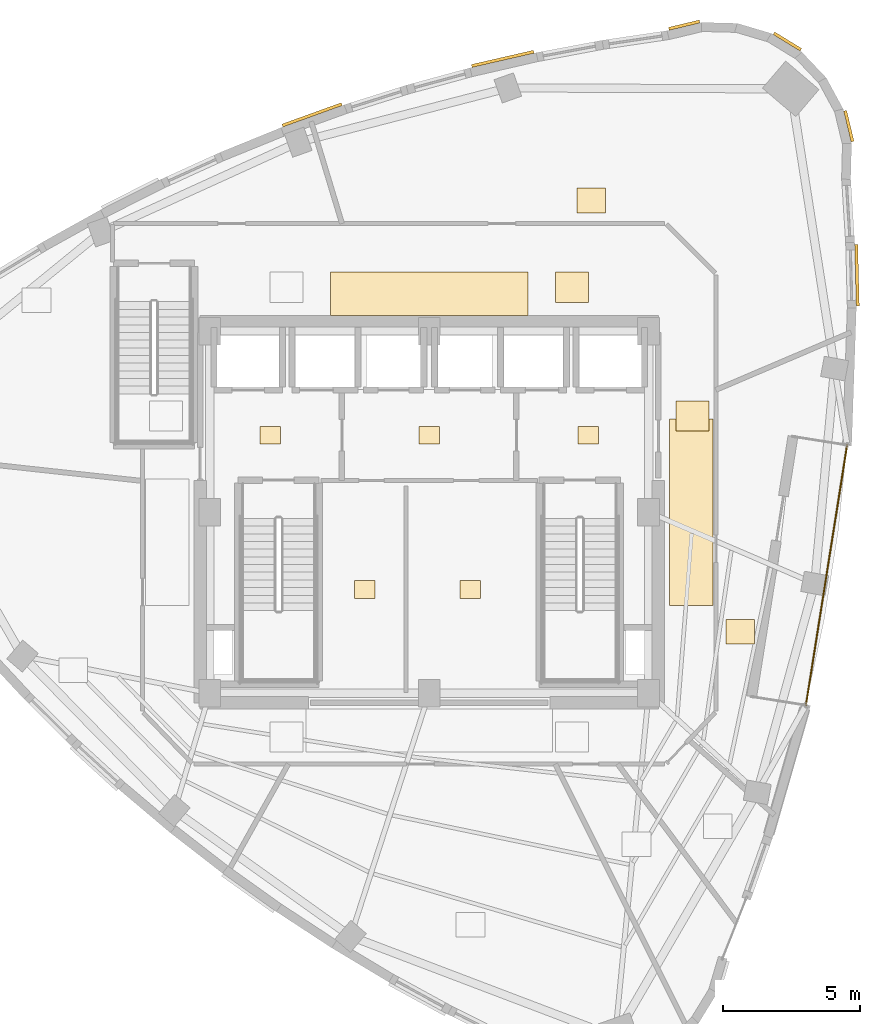
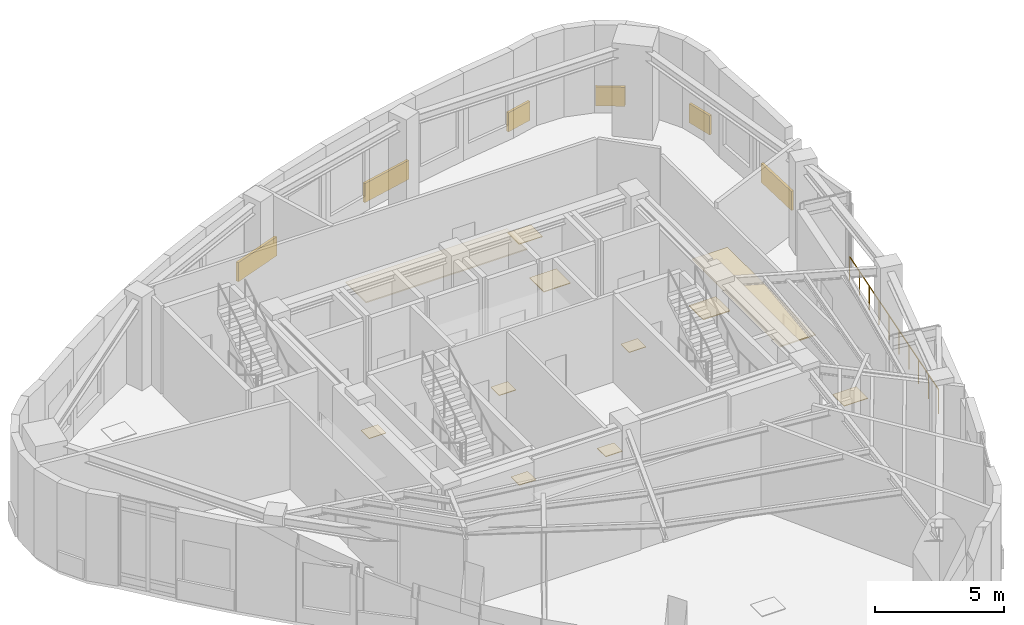
# One storey, part 14 of 14: 17 coverings, 1 railing.
"""IFC4 building model written with IfcOpenShell, lengths in metres."""

import ifcopenshell
import ifcopenshell.guid

model = None  # the IFC model being written
_history = None  # IfcOwnerHistory: only IFC2X3 demands one
_inside = {}  # id of a spatial element -> (the spatial element, [elements in it])
_under = {}  # id of a project, library or spatial element -> (it, [spatial elements below it])
_declared = {}  # id of a project -> (the project, [libraries it declares])
_typed = {}  # id of a type object -> (the type object, [elements of that type])
_made_of = {}  # id of a material, layer set ... -> (it, [elements and type objects made of it])


def new_model(schema):
    """Start an empty IFC model of exactly this schema.

    Asked for "IFC4X3", IfcOpenShell would pick the latest addendum, in which some entities
    have other attributes; the version numbers below select the first issue.
    IFC2X3 requires an IfcOwnerHistory on every rooted entity: one is made here for all.
    """
    global model, _history
    if schema == "IFC4X3":
        model = ifcopenshell.file(schema_version=(4, 3, 0, 0))
    else:
        model = ifcopenshell.file(schema=schema)
    _inside.clear()
    _under.clear()
    _declared.clear()
    _typed.clear()
    _made_of.clear()
    _history = None
    if model.schema == "IFC2X3":
        org = make("IfcOrganization", Name="unknown")
        user = make(
            "IfcPersonAndOrganization",
            ThePerson=make("IfcPerson", FamilyName="unknown"),
            TheOrganization=org,
        )
        app = make(
            "IfcApplication",
            ApplicationDeveloper=org,
            Version="unknown",
            ApplicationFullName="unknown",
            ApplicationIdentifier="unknown",
        )
        _history = make(
            "IfcOwnerHistory",
            OwningUser=user,
            OwningApplication=app,
            ChangeAction="ADDED",
            CreationDate=0,
        )
    return model


def make(cls, **values):
    """One entity of the class cls with the attributes given. An attribute that is None is left unset."""
    return model.create_entity(
        cls, **{name: value for name, value in values.items() if value is not None}
    )


def rooted(cls, **values):
    """An entity with a GlobalId (a new one), such as an element, a storey or a relation."""
    return make(cls, GlobalId=ifcopenshell.guid.new(), OwnerHistory=_history, **values)


def si_unit(unit_type, name, prefix=None):
    """IfcSIUnit, for example si_unit("LENGTHUNIT", "METRE", prefix="MILLI")."""
    return make("IfcSIUnit", UnitType=unit_type, Prefix=prefix, Name=name)


def assignment(units):
    """IfcUnitAssignment: the units of a project."""
    return None if units is None else make("IfcUnitAssignment", Units=units)


def point(xyz):
    """IfcCartesianPoint."""
    return None if xyz is None else make("IfcCartesianPoint", Coordinates=xyz)


def direction(xyz):
    """IfcDirection."""
    return None if xyz is None else make("IfcDirection", DirectionRatios=xyz)


def frame(location, z_axis=None, x_axis=None):
    """IfcAxis2Placement3D, a coordinate frame: its origin and axes. An axis left out is left unset."""
    return make(
        "IfcAxis2Placement3D",
        Location=point(location),
        Axis=direction(z_axis),
        RefDirection=direction(x_axis),
    )


def frame_2d(location, x_axis=None):
    """IfcAxis2Placement2D, a coordinate frame in the plane: its origin and x axis."""
    return make(
        "IfcAxis2Placement2D", Location=point(location), RefDirection=direction(x_axis)
    )


def origin():
    """The frame at (0, 0, 0) with its axes left unset."""
    return frame((0.0, 0.0, 0.0))


def origin_2d():
    """The frame at (0, 0) in the plane with its x axis left unset."""
    return frame_2d((0.0, 0.0))


def place(relative_to, where):
    """IfcLocalPlacement: puts the frame where relative to a parent placement (None: the world)."""
    return make(
        "IfcLocalPlacement", PlacementRelTo=relative_to, RelativePlacement=where
    )


def context(
    kind, dimensions, precision=None, world=None, true_north=None, identifier=None
):
    """IfcGeometricRepresentationContext, for example the 3D "Model" context."""
    return make(
        "IfcGeometricRepresentationContext",
        ContextIdentifier=identifier,
        ContextType=kind,
        CoordinateSpaceDimension=dimensions,
        Precision=precision,
        WorldCoordinateSystem=world,
        TrueNorth=true_north,
    )


def subcontext(parent, identifier, kind, view, scale=None):
    """IfcGeometricRepresentationSubContext, for example "Body" below "Model"."""
    return make(
        "IfcGeometricRepresentationSubContext",
        ContextIdentifier=identifier,
        ContextType=kind,
        ParentContext=parent,
        TargetScale=scale,
        TargetView=view,
    )


def project(units=None, contexts=None):
    """IfcProject with its units and contexts."""
    return rooted(
        "IfcProject",
        Name="project",
        RepresentationContexts=contexts,
        UnitsInContext=assignment(units),
    )


def spatial(cls, under=None, at=None, **own):
    """A site, building, storey or space (cls), placed at a placement, below another one or the project."""
    s = rooted(cls, ObjectPlacement=at, **own)
    if under is not None:
        _under.setdefault(under.id(), (under, []))[1].append(s)
    return s


def profile(cls, at=None, kind="AREA", **sizes):
    """A parametric profile (cls). Its sizes go by their IFC names, for example OverallWidth=200.0."""
    return make(cls, ProfileType=kind, Position=at, **sizes)


def rectangle(**sizes):
    """IfcRectangleProfileDef."""
    return profile("IfcRectangleProfileDef", **sizes)


def circle(**sizes):
    """IfcCircleProfileDef."""
    return profile("IfcCircleProfileDef", **sizes)


def extrude(swept, where, along, depth):
    """IfcExtrudedAreaSolid: the profile swept, set in the frame where, extruded along a direction by depth."""
    return make(
        "IfcExtrudedAreaSolid",
        SweptArea=swept,
        Position=where,
        ExtrudedDirection=direction(along),
        Depth=depth,
    )


def shape(context_of_items, identifier, shape_type, items):
    """IfcShapeRepresentation: the items that make up one representation, for example the "Body"."""
    return make(
        "IfcShapeRepresentation",
        ContextOfItems=context_of_items,
        RepresentationIdentifier=identifier,
        RepresentationType=shape_type,
        Items=items,
    )


def material(Name=None, Category=None):
    """IfcMaterial."""
    return make("IfcMaterial", Name=Name, Category=Category)


def layer(
    of_material, thickness, ventilated=None, Name=None, Category=None, Priority=None
):
    """IfcMaterialLayer: one layer of a wall or slab, of a material (None: an air gap)."""
    return make(
        "IfcMaterialLayer",
        Material=of_material,
        LayerThickness=thickness,
        IsVentilated=ventilated,
        Name=Name,
        Category=Category,
        Priority=Priority,
    )


def layer_set(layers, Name=None):
    """IfcMaterialLayerSet."""
    return make("IfcMaterialLayerSet", MaterialLayers=layers, LayerSetName=Name)


def made_of(thing, what):
    """Note that an element or type object is made of a material, layer set ...; save() writes the relation."""
    if what is not None:
        _made_of.setdefault(what.id(), (what, []))[1].append(thing)
    return thing


def type_object(cls, material=None, **own):
    """A type object (cls), such as IfcWallType, which elements share."""
    return made_of(rooted(cls, **own), material)


def element(
    cls,
    number,
    at=None,
    inside=None,
    cuts=None,
    type_object=None,
    material=None,
    context=None,
    identifier="Body",
    shape_type=None,
    held_by="IfcProductDefinitionShape",
    body=None,
    shapes=None,
    **own,
):
    """One element of the class cls, such as IfcWall. Its Tag is "e" and its number.

    at: its placement. inside: the storey or other place that contains it. cuts: it is an
    opening in that element (IfcRelVoidsElement). A single representation is given by context,
    identifier, shape_type and body (its items); several are given by shapes. held_by: the class
    of the entity that holds the representations. save() writes the other relations.
    """
    e = rooted(cls, Tag="e%d" % number, ObjectPlacement=at, **own)
    if body is not None:
        shapes = [shape(context, identifier, shape_type, body)]
    if shapes is not None:
        e.Representation = make(held_by, Representations=shapes)
    if inside is not None:
        _inside.setdefault(inside.id(), (inside, []))[1].append(e)
    if cuts is not None:
        rooted(
            "IfcRelVoidsElement", RelatingBuildingElement=cuts, RelatedOpeningElement=e
        )
    if type_object is not None:
        _typed.setdefault(type_object.id(), (type_object, []))[1].append(e)
    return made_of(e, material)


def aggregate(whole, parts):
    """IfcRelAggregates: a whole, such as a stair, and the parts it consists of."""
    return rooted("IfcRelAggregates", RelatingObject=whole, RelatedObjects=parts)


def save(model, path):
    """Write the relations noted so far, then the file.

    IfcRelAggregates (storeys below a building ...), IfcRelContainedInSpatialStructure (elements
    in a storey), IfcRelDefinesByType, IfcRelAssociatesMaterial and IfcRelDeclares: one each for
    every whole, place, type object, material and project.
    """
    for whole, parts in _under.values():
        aggregate(whole, parts)
    for where, things in _inside.values():
        rooted(
            "IfcRelContainedInSpatialStructure",
            RelatedElements=things,
            RelatingStructure=where,
        )
    for kind, things in _typed.values():
        rooted("IfcRelDefinesByType", RelatedObjects=things, RelatingType=kind)
    for what, things in _made_of.values():
        rooted("IfcRelAssociatesMaterial", RelatedObjects=things, RelatingMaterial=what)
    for by, libraries in _declared.values():
        rooted("IfcRelDeclares", RelatingContext=by, RelatedDefinitions=libraries)
    model.write(path)


model = new_model("IFC4")

# Units and contexts
model_context = context("Model", 3, precision=1e-05, world=origin(), true_north=direction((0.0, 1.0)))
body_context = subcontext(model_context, "Body", "Model", "MODEL_VIEW")
ifc_project = project(units=[si_unit("LENGTHUNIT", "METRE"), si_unit("AREAUNIT", "SQUARE_METRE"), si_unit("VOLUMEUNIT", "CUBIC_METRE"), si_unit("PLANEANGLEUNIT", "RADIAN"), si_unit("MASSUNIT", "GRAM", prefix="KILO")], contexts=[model_context])

# Site, building, storey
site_placement = place(None, origin())
site = spatial("IfcSite", under=ifc_project, at=site_placement, CompositionType="ELEMENT")
building_placement = place(site_placement, origin())
building = spatial("IfcBuilding", under=site, at=building_placement, Name="Ndelora Gate Hotel", CompositionType="ELEMENT")
storey_placement = place(building_placement, frame((0.0, 0.0, 277.199951171875)))
storey = spatial("IfcBuildingStorey", under=building, at=storey_placement, Name="L69", CompositionType="ELEMENT", Elevation=277.199951171875)

# Coverings
ifc_material_1 = material(Name="Perforated Acoustic Gypsum Board", Category="gypsum")
ifc_layer_1 = layer(ifc_material_1, 0.054931640625)
ifc_layer_set_1 = layer_set([ifc_layer_1], Name="Perforated Acoustic Gypsum Board")
covering_type_1 = type_object("IfcCoveringType", Name="COV-CEIL-AC60", PredefinedType="CEILING", material=ifc_layer_set_1)
covering_1_placement = place(storey_placement, frame((0.0, 7.9599609375, 2.65234375), z_axis=(0.0, 0.0, 1.0), x_axis=(1.0, 0.0, 0.0)))
element("IfcCovering", 1, at=covering_1_placement, inside=storey, type_object=covering_type_1, Name="L69 Guest Corridor Acoustic Ceiling N", PredefinedType="CEILING", context=body_context, shape_type="SweptSolid", body=[
    extrude(rectangle(XDim=7.199951171875, YDim=1.580078125, at=origin_2d()), origin(), (0.0, 0.0, 1.0), 0.054931640625),
])
covering_2_placement = place(storey_placement, frame((9.550048828125, 0.0, 2.65234375), z_axis=(0.0, 0.0, 1.0), x_axis=(1.0, 0.0, 0.0)))
element("IfcCovering", 2, at=covering_2_placement, inside=storey, type_object=covering_type_1, Name="L69 Guest Corridor Acoustic Ceiling E", PredefinedType="CEILING", context=body_context, shape_type="SweptSolid", body=[
    extrude(rectangle(XDim=1.580078125, YDim=6.800048828125, at=origin_2d()), origin(), (0.0, 0.0, 1.0), 0.054931640625),
])
ifc_material_2 = material(Name="Terracotta Fired Clay Brick Slip Cladding", Category="masonry")
ifc_layer_2 = layer(ifc_material_2, 0.110107421875)
ifc_layer_set_2 = layer_set([ifc_layer_2], Name="Terracotta Fired Clay Brick Slip Cladding")
covering_type_2 = type_object("IfcCoveringType", Name="COV-CLAD-BRK", PredefinedType="CLADDING", material=ifc_layer_set_2)
covering_3_placement = place(storey_placement, frame((15.59228515625, 8.640380859375, 0.10009765625), z_axis=(0.0, 0.0, 1.0), x_axis=(-0.025653525392, 0.999670894162, 0.0)))
element("IfcCovering", 3, at=covering_3_placement, inside=storey, type_object=covering_type_2, Name="L69 Rounded-Corner Brick Cladding Band 37", PredefinedType="CLADDING", context=body_context, shape_type="SweptSolid", body=[
    extrude(rectangle(XDim=2.240966796875, YDim=0.110107421875, at=origin_2d()), origin(), (0.0, 0.0, 1.0), 0.89990234375),
])
for number, where, z_axis, x_axis, name in (
    (4, (15.294189453125, 14.07177734375, 0.10009765625), (0.0, 0.0, 1.0), (-0.233445363856, 0.972369920398, 0.0), "L69 Rounded-Corner Brick Cladding Band 40"),
    (5, (13.0546875, 17.153564453125, 0.10009765625), (0.0, 0.0, 1.0), (-0.852640164354, 0.522498564716, 0.0), "L69 Rounded-Corner Brick Cladding Band 43"),
    (6, (9.2919921875, 17.74951171875, 0.10009765625), (0.0, 0.0, 1.0), (0.972369920398, 0.233445363856, 0.0), "L69 Rounded-Corner Brick Cladding Band 46"),
):
    element("IfcCovering", number, at=place(storey_placement, frame(where, z_axis=z_axis, x_axis=x_axis)), inside=storey, type_object=covering_type_2, Name=name, PredefinedType="CLADDING", context=body_context, shape_type="SweptSolid", body=[
        extrude(rectangle(XDim=1.153076171875, YDim=0.110107421875, at=origin_2d()), origin(), (0.0, 0.0, 1.0), 0.89990234375),
    ])
covering_4_placement = place(storey_placement, frame((2.679443359375, 16.522216796875, 0.10009765625), z_axis=(0.0, 0.0, 1.0), x_axis=(0.974683205815, 0.223590358248, 0.0)))
element("IfcCovering", 7, at=covering_4_placement, inside=storey, type_object=covering_type_2, Name="L69 Rounded-Corner Brick Cladding Band 49", PredefinedType="CLADDING", context=body_context, shape_type="SweptSolid", body=[
    extrude(rectangle(XDim=2.322021484375, YDim=0.110107421875, at=origin_2d()), origin(), (0.0, 0.0, 1.0), 0.89990234375),
])
covering_5_placement = place(storey_placement, frame((-4.27001953125, 14.4814453125, 0.10009765625), z_axis=(0.0, 0.0, 1.0), x_axis=(0.940644056006, 0.339394696335, 0.0)))
element("IfcCovering", 8, at=covering_5_placement, inside=storey, type_object=covering_type_2, Name="L69 Rounded-Corner Brick Cladding Band 52", PredefinedType="CLADDING", context=body_context, shape_type="SweptSolid", body=[
    extrude(rectangle(XDim=2.298095703125, YDim=0.110107421875, at=origin_2d()), origin(), (0.0, 0.0, 1.0), 0.89990234375),
])
ifc_material_3 = material(Name="Engineered Highland Oak Parquet", Category="wood")
ifc_layer_3 = layer(ifc_material_3, 0.030029296875)
ifc_layer_set_3 = layer_set([ifc_layer_3], Name="Engineered Highland Oak Parquet")
covering_type_3 = type_object("IfcCoveringType", Name="COV-FLR-PARQ", PredefinedType="FLOORING", material=ifc_layer_set_3)
for number, where, z_axis, x_axis, name in (
    (9, (11.33837890625, -4.359130859375, 0.0), (0.0, 0.0, 1.0), (1.0, 0.0, 0.0), "L69 Sky Garden Tea Dining Room Oak Parquet Flooring"),
    (10, (5.907470703125, 11.358154296875, 0.0), (0.0, 0.0, 1.0), (1.0, 0.0, 0.0), "L69 Glazed Sky Restaurant Dining Hall Oak Parquet Flooring"),
):
    element("IfcCovering", number, at=place(storey_placement, frame(where, z_axis=z_axis, x_axis=x_axis)), inside=storey, type_object=covering_type_3, Name=name, PredefinedType="FLOORING", context=body_context, shape_type="SweptSolid", body=[
        extrude(rectangle(XDim=1.050048828125, YDim=0.89990234375, at=origin_2d()), origin(), (0.0, 0.0, 1.0), 0.030029296875),
    ])
ifc_material_4 = material(Name="Polished Highland Stone Terrazzo", Category="masonry")
ifc_layer_4 = layer(ifc_material_4, 0.034912109375)
ifc_layer_set_4 = layer_set([ifc_layer_4], Name="Polished Highland Stone Terrazzo")
covering_type_4 = type_object("IfcCoveringType", Name="COV-FLR-TERZ", PredefinedType="FLOORING", material=ifc_layer_set_4)
for number, where, z_axis, x_axis, name in (
    (11, (5.199951171875, 8.199951171875, 0.0), (0.0, 0.0, 1.0), (1.0, 0.0, 0.0), "L69 Corridor Threshold Terrazzo Inlay NE"),
    (12, (9.60009765625, 3.5, 0.0), (0.0, 0.0, 1.0), (1.0, 0.0, 0.0), "L69 Corridor Threshold Terrazzo Inlay E"),
):
    element("IfcCovering", number, at=place(storey_placement, frame(where, z_axis=z_axis, x_axis=x_axis)), inside=storey, type_object=covering_type_4, Name=name, PredefinedType="FLOORING", context=body_context, shape_type="SweptSolid", body=[
        extrude(rectangle(XDim=1.199951171875, YDim=1.10009765625, at=origin_2d()), origin(), (0.0, 0.0, 1.0), 0.034912109375),
    ])
ifc_material_5 = material(Name="Non-Slip Porcelain Wet-Room Tile", Category="ceramic")
ifc_layer_5 = layer(ifc_material_5, 0.02490234375)
ifc_layer_set_5 = layer_set([ifc_layer_5], Name="Non-Slip Porcelain Wet-Room Tile")
covering_type_5 = type_object("IfcCoveringType", Name="COV-FLR-TILE", PredefinedType="FLOORING", material=ifc_layer_set_5)
for number, where, z_axis, x_axis, name in (
    (13, (-5.800048828125, 2.800048828125, 0.0), (0.0, 0.0, 1.0), (1.0, 0.0, 0.0), "L69 Firefighting Lift Lobby West Porcelain Tile Flooring"),
    (14, (5.800048828125, 2.800048828125, 0.0), (0.0, 0.0, 1.0), (1.0, 0.0, 0.0), "L69 Firefighting Lift Lobby East Porcelain Tile Flooring"),
    (15, (0.0, 2.800048828125, 0.0), (0.0, 0.0, 1.0), (1.0, 0.0, 0.0), "L69 Central Passenger Lift Lobby Porcelain Tile Flooring"),
    (16, (-2.35009765625, -2.824951171875, 0.0), (0.0, 0.0, 1.0), (1.0, 0.0, 0.0), "L69 Core Electrical Switchroom Porcelain Tile Flooring"),
    (17, (1.5, -2.824951171875, 0.0), (0.0, 0.0, 1.0), (1.0, 0.0, 0.0), "L69 Central Linen Equipment Store Porcelain Tile Flooring"),
):
    element("IfcCovering", number, at=place(storey_placement, frame(where, z_axis=z_axis, x_axis=x_axis)), inside=storey, type_object=covering_type_5, Name=name, PredefinedType="FLOORING", context=body_context, shape_type="SweptSolid", body=[
        extrude(rectangle(XDim=0.75, YDim=0.64990234375, at=origin_2d()), origin(), (0.0, 0.0, 1.0), 0.02490234375),
    ])

# Railing
ifc_material_6 = material(Name="Laminated Safety Glass and Bronze Top Rail", Category="glass")
ifc_layer_6 = layer(ifc_material_6, 0.070068359375)
ifc_layer_set_6 = layer_set([ifc_layer_6], Name="Laminated Safety Glass and Bronze Top Rail")
railing_type = type_object("IfcRailingType", Name="RL-BAL-1150", PredefinedType="BALUSTRADE", material=ifc_layer_set_6)
railing_placement = place(storey_placement, frame((13.7294921875, -7.034423828125, 0.0)))
element("IfcRailing", 18, at=railing_placement, inside=storey, type_object=railing_type, Name="L69 Sky-Garden Loggia Terrace Balustrade", PredefinedType="BALUSTRADE", context=body_context, shape_type="SweptSolid", body=[
    extrude(circle(Radius=0.02392578125, at=origin_2d()), frame((0.0, 0.0, 1.1357421875), z_axis=(0.156450965366, 0.987685727059, 0.0), x_axis=(-0.987685727059, 0.156450965366, 0.0)), (0.0, 0.0, 1.0), 9.60009765625),
    extrude(circle(Radius=0.02099609375, at=origin_2d()), origin(), (0.0, 0.0, 1.0), 1.11181640625),
    extrude(circle(Radius=0.02099609375, at=origin_2d()), frame((0.1669921875, 1.053466796875, 0.0)), (0.0, 0.0, 1.0), 1.11181640625),
    extrude(circle(Radius=0.02099609375, at=origin_2d()), frame((0.333740234375, 2.107177734375, 0.0)), (0.0, 0.0, 1.0), 1.11181640625),
    extrude(circle(Radius=0.02099609375, at=origin_2d()), frame((0.500732421875, 3.16064453125, 0.0)), (0.0, 0.0, 1.0), 1.11181640625),
    extrude(circle(Radius=0.02099609375, at=origin_2d()), frame((0.66748046875, 4.214111328125, 0.0)), (0.0, 0.0, 1.0), 1.11181640625),
    extrude(circle(Radius=0.02099609375, at=origin_2d()), frame((0.83447265625, 5.267822265625, 0.0)), (0.0, 0.0, 1.0), 1.11181640625),
    extrude(circle(Radius=0.02099609375, at=origin_2d()), frame((1.001220703125, 6.3212890625, 0.0)), (0.0, 0.0, 1.0), 1.11181640625),
    extrude(circle(Radius=0.02099609375, at=origin_2d()), frame((1.168212890625, 7.374755859375, 0.0)), (0.0, 0.0, 1.0), 1.11181640625),
    extrude(circle(Radius=0.02099609375, at=origin_2d()), frame((1.3349609375, 8.428466796875, 0.0)), (0.0, 0.0, 1.0), 1.11181640625),
    extrude(circle(Radius=0.02099609375, at=origin_2d()), frame((1.501953125, 9.48193359375, 0.0)), (0.0, 0.0, 1.0), 1.11181640625),
])

save(model, "model.ifc")
